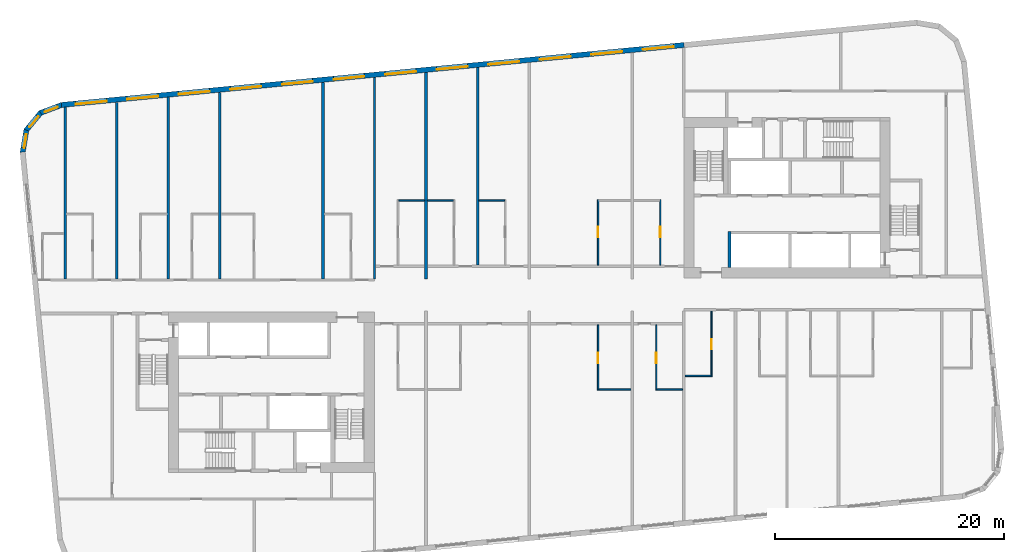
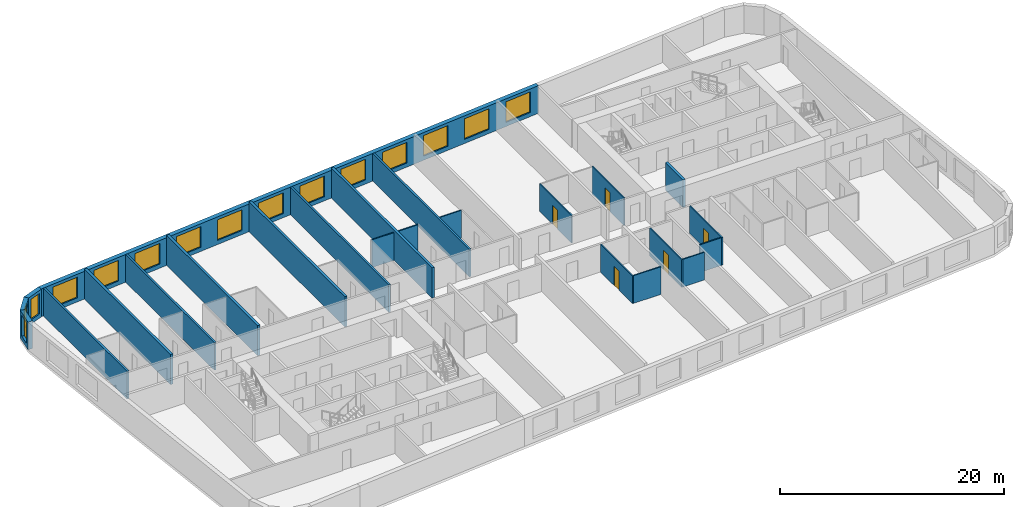
# One storey, part 5 of 12: 24 walls, 15 windows, 5 doors, 20 openings.
"""IFC4 building model written with IfcOpenShell, lengths in metres."""

from ifc_helpers import new_model, si_unit, direction, frame, frame_2d, origin, place, context, subcontext, project, spatial, polyline, rectangle, outline, extrude, material, layer, layer_set, type_object, element, fill, save


model = new_model("IFC4")

# Units and contexts
model_context = context("Model", 3, precision=1e-05, world=origin(), true_north=direction((0.0, 1.0)))
body_context = subcontext(model_context, "Body", "Model", "MODEL_VIEW")
ifc_project = project(units=[si_unit("LENGTHUNIT", "METRE"), si_unit("AREAUNIT", "SQUARE_METRE"), si_unit("VOLUMEUNIT", "CUBIC_METRE"), si_unit("PLANEANGLEUNIT", "RADIAN"), si_unit("MASSUNIT", "GRAM", prefix="KILO")], contexts=[model_context])

# Site, building, storey
site_placement = place(None, origin())
site = spatial("IfcSite", under=ifc_project, at=site_placement, CompositionType="ELEMENT")
building_placement = place(site_placement, origin())
building = spatial("IfcBuilding", under=site, at=building_placement, Name="Kajstack Hotel Tower", CompositionType="ELEMENT")
storey_placement = place(building_placement, frame((0.0, 0.0, 173.5)))
storey = spatial("IfcBuildingStorey", under=building, at=storey_placement, Name="L40", CompositionType="ELEMENT", Elevation=173.5)

# Walls
ifc_material_1 = material(Name="Twin-frame gypsum board on steel studs, mineral wool", Category="steel")
ifc_layer_1 = layer(ifc_material_1, 0.199951171875)
ifc_layer_set_1 = layer_set([ifc_layer_1], Name="Demising wall 200")
wall_type_1 = type_object("IfcWallType", Name="Demising wall 200", PredefinedType="PARTITIONING", material=ifc_layer_set_1)
wall_1_placement = place(storey_placement, frame((-40.5, 1.39990234375, 0.0), z_axis=(0.0, 0.0, 1.0), x_axis=(0.0, 1.0, 0.0)))
element("IfcWall", 1, at=wall_1_placement, inside=storey, type_object=wall_type_1, Name="G-wall-L40-005", PredefinedType="PARTITIONING", context=body_context, shape_type="SweptSolid", body=[
    extrude(rectangle(XDim=14.989990234375, YDim=0.199951171875, at=frame_2d((7.4951171875, 0.0))), origin(), (0.0, 0.0, 1.0), 3.02001953125),
])
wall_2_placement = place(storey_placement, frame((-31.5, 1.39990234375, 0.0), z_axis=(0.0, 0.0, 1.0), x_axis=(0.0, 1.0, 0.0)))
element("IfcWall", 2, at=wall_2_placement, inside=storey, type_object=wall_type_1, Name="G-wall-L40-010", PredefinedType="PARTITIONING", context=body_context, shape_type="SweptSolid", body=[
    extrude(rectangle(XDim=15.856201171875, YDim=0.199951171875, at=frame_2d((7.92822265625, 0.0))), origin(), (0.0, 0.0, 1.0), 3.02001953125),
])
wall_3_placement = place(storey_placement, frame((-13.5, 1.39990234375, 0.0), z_axis=(0.0, 0.0, 1.0), x_axis=(0.0, 1.0, 0.0)))
element("IfcWall", 3, at=wall_3_placement, inside=storey, type_object=wall_type_1, Name="G-wall-L40-017", PredefinedType="PARTITIONING", context=body_context, shape_type="SweptSolid", body=[
    extrude(rectangle(XDim=17.590087890625, YDim=0.199951171875, at=frame_2d((8.794921875, 0.0))), origin(), (0.0, 0.0, 1.0), 3.02001953125),
])
wall_4_placement = place(storey_placement, frame((-4.5, 2.60009765625, 0.0), z_axis=(0.0, 0.0, 1.0), x_axis=(0.0, 1.0, 0.0)))
element("IfcWall", 4, at=wall_4_placement, inside=storey, type_object=wall_type_1, Name="G-wall-L40-022", PredefinedType="PARTITIONING", context=body_context, shape_type="SweptSolid", body=[
    extrude(rectangle(XDim=17.255859375, YDim=0.199951171875, at=frame_2d((8.6279296875, 0.0))), origin(), (0.0, 0.0, 1.0), 3.02001953125),
])

# Wall, openings, windows
ifc_material_2 = material(Name="Terracotta-faced brick masonry", Category="masonry")
ifc_layer_2 = layer(ifc_material_2, 0.449951171875)
ifc_layer_set_2 = layer_set([ifc_layer_2], Name="EW-TERRA")
wall_type_2 = type_object("IfcWallType", Name="EW-TERRA", PredefinedType="SOLIDWALL", material=ifc_layer_set_2)
wall_5_placement = place(storey_placement, frame((13.521484375, 21.8173828125, 0.0), z_axis=(0.0, 0.0, 1.0), x_axis=(-0.995396508751, -0.095842529008, 0.0)))
wall_5 = element("IfcWall", 5, at=wall_5_placement, inside=storey, type_object=wall_type_2, Name="E-wall-L40-12-02", PredefinedType="SOLIDWALL", context=body_context, shape_type="SweptSolid", body=[
    extrude(rectangle(XDim=54.59130859375, YDim=0.449951171875, at=frame_2d((27.295654296875, 0.0))), origin(), (0.0, 0.0, 1.0), 3.02001953125),
])
opening_1_placement = place(wall_5_placement, frame((0.910400390625, 0.0, 0.449951171875)))
opening_1 = element("IfcOpeningElement", 6, at=opening_1_placement, cuts=wall_5, Name="Opening W1", PredefinedType="OPENING", context=body_context, shape_type="SweptSolid", body=[
    extrude(rectangle(XDim=2.699951171875, YDim=2.25, at=frame_2d((1.35009765625, 1.125))), frame((0.0, 0.23486328125, 0.0), z_axis=(0.0, -1.0, 0.0), x_axis=(1.0, 0.0, 0.0)), (0.0, 0.0, 1.0), 0.469970703125),
])
opening_2_placement = place(wall_5_placement, frame((5.43115234375, 0.0, 0.449951171875)))
opening_2 = element("IfcOpeningElement", 7, at=opening_2_placement, cuts=wall_5, Name="Opening W1", PredefinedType="OPENING", context=body_context, shape_type="SweptSolid", body=[
    extrude(rectangle(XDim=2.699951171875, YDim=2.25, at=frame_2d((1.35009765625, 1.125))), frame((0.0, 0.23486328125, 0.0), z_axis=(0.0, -1.0, 0.0), x_axis=(1.0, 0.0, 0.0)), (0.0, 0.0, 1.0), 0.469970703125),
])
opening_3_placement = place(wall_5_placement, frame((9.951904296875, 0.0, 0.449951171875)))
opening_3 = element("IfcOpeningElement", 8, at=opening_3_placement, cuts=wall_5, Name="Opening W1", PredefinedType="OPENING", context=body_context, shape_type="SweptSolid", body=[
    extrude(rectangle(XDim=2.699951171875, YDim=2.25, at=frame_2d((1.35009765625, 1.125))), frame((0.0, 0.23486328125, 0.0), z_axis=(0.0, -1.0, 0.0), x_axis=(1.0, 0.0, 0.0)), (0.0, 0.0, 1.0), 0.469970703125),
])
opening_4_placement = place(wall_5_placement, frame((14.472900390625, 0.0, 0.449951171875)))
opening_4 = element("IfcOpeningElement", 9, at=opening_4_placement, cuts=wall_5, Name="Opening W1", PredefinedType="OPENING", context=body_context, shape_type="SweptSolid", body=[
    extrude(rectangle(XDim=2.699951171875, YDim=2.25, at=frame_2d((1.35009765625, 1.125))), frame((0.0, 0.23486328125, 0.0), z_axis=(0.0, -1.0, 0.0), x_axis=(1.0, 0.0, 0.0)), (0.0, 0.0, 1.0), 0.469970703125),
])
opening_5_placement = place(wall_5_placement, frame((18.99365234375, 0.0, 0.449951171875)))
opening_5 = element("IfcOpeningElement", 10, at=opening_5_placement, cuts=wall_5, Name="Opening W1", PredefinedType="OPENING", context=body_context, shape_type="SweptSolid", body=[
    extrude(rectangle(XDim=2.699951171875, YDim=2.25, at=frame_2d((1.35009765625, 1.125))), frame((0.0, 0.23486328125, 0.0), z_axis=(0.0, -1.0, 0.0), x_axis=(1.0, 0.0, 0.0)), (0.0, 0.0, 1.0), 0.469970703125),
])
opening_6_placement = place(wall_5_placement, frame((23.514404296875, 0.0, 0.449951171875)))
opening_6 = element("IfcOpeningElement", 11, at=opening_6_placement, cuts=wall_5, Name="Opening W1", PredefinedType="OPENING", context=body_context, shape_type="SweptSolid", body=[
    extrude(rectangle(XDim=2.699951171875, YDim=2.25, at=frame_2d((1.35009765625, 1.125))), frame((0.0, 0.23486328125, 0.0), z_axis=(0.0, -1.0, 0.0), x_axis=(1.0, 0.0, 0.0)), (0.0, 0.0, 1.0), 0.469970703125),
])
opening_7_placement = place(wall_5_placement, frame((28.03515625, 0.0, 0.449951171875)))
opening_7 = element("IfcOpeningElement", 12, at=opening_7_placement, cuts=wall_5, Name="Opening W1", PredefinedType="OPENING", context=body_context, shape_type="SweptSolid", body=[
    extrude(rectangle(XDim=2.699951171875, YDim=2.25, at=frame_2d((1.35009765625, 1.125))), frame((0.0, 0.23486328125, 0.0), z_axis=(0.0, -1.0, 0.0), x_axis=(1.0, 0.0, 0.0)), (0.0, 0.0, 1.0), 0.469970703125),
])
opening_8_placement = place(wall_5_placement, frame((32.555908203125, 0.0, 0.449951171875)))
opening_8 = element("IfcOpeningElement", 13, at=opening_8_placement, cuts=wall_5, Name="Opening W1", PredefinedType="OPENING", context=body_context, shape_type="SweptSolid", body=[
    extrude(rectangle(XDim=2.699951171875, YDim=2.25, at=frame_2d((1.35009765625, 1.125))), frame((0.0, 0.23486328125, 0.0), z_axis=(0.0, -1.0, 0.0), x_axis=(1.0, 0.0, 0.0)), (0.0, 0.0, 1.0), 0.469970703125),
])
opening_9_placement = place(wall_5_placement, frame((37.076904296875, 0.0, 0.449951171875)))
opening_9 = element("IfcOpeningElement", 14, at=opening_9_placement, cuts=wall_5, Name="Opening W1", PredefinedType="OPENING", context=body_context, shape_type="SweptSolid", body=[
    extrude(rectangle(XDim=2.699951171875, YDim=2.25, at=frame_2d((1.35009765625, 1.125))), frame((0.0, 0.23486328125, 0.0), z_axis=(0.0, -1.0, 0.0), x_axis=(1.0, 0.0, 0.0)), (0.0, 0.0, 1.0), 0.469970703125),
])
opening_10_placement = place(wall_5_placement, frame((41.59765625, 0.0, 0.449951171875)))
opening_10 = element("IfcOpeningElement", 15, at=opening_10_placement, cuts=wall_5, Name="Opening W1", PredefinedType="OPENING", context=body_context, shape_type="SweptSolid", body=[
    extrude(rectangle(XDim=2.699951171875, YDim=2.25, at=frame_2d((1.35009765625, 1.125))), frame((0.0, 0.23486328125, 0.0), z_axis=(0.0, -1.0, 0.0), x_axis=(1.0, 0.0, 0.0)), (0.0, 0.0, 1.0), 0.469970703125),
])
opening_11_placement = place(wall_5_placement, frame((46.118408203125, 0.0, 0.449951171875)))
opening_11 = element("IfcOpeningElement", 16, at=opening_11_placement, cuts=wall_5, Name="Opening W1", PredefinedType="OPENING", context=body_context, shape_type="SweptSolid", body=[
    extrude(rectangle(XDim=2.699951171875, YDim=2.25, at=frame_2d((1.35009765625, 1.125))), frame((0.0, 0.23486328125, 0.0), z_axis=(0.0, -1.0, 0.0), x_axis=(1.0, 0.0, 0.0)), (0.0, 0.0, 1.0), 0.469970703125),
])
opening_12_placement = place(wall_5_placement, frame((50.62890625, 0.0, 0.449951171875)))
opening_12 = element("IfcOpeningElement", 17, at=opening_12_placement, cuts=wall_5, Name="Opening W1", PredefinedType="OPENING", context=body_context, shape_type="SweptSolid", body=[
    extrude(rectangle(XDim=2.699951171875, YDim=2.25, at=frame_2d((1.35009765625, 1.125))), frame((0.0, 0.23486328125, 0.0), z_axis=(0.0, -1.0, 0.0), x_axis=(1.0, 0.0, 0.0)), (0.0, 0.0, 1.0), 0.469970703125),
])
ifc_material_3 = material(Name="Timber-aluminium window, triple glazed", Category="wood")
window_type_1 = type_object("IfcWindowType", Name="WG1", PartitioningType="SINGLE_PANEL", PredefinedType="WINDOW", material=ifc_material_3)
window_1_placement = place(opening_1_placement, origin())
window_1 = element("IfcWindow", 18, at=window_1_placement, inside=storey, type_object=window_type_1, Name="Window W1 L40-12", OverallHeight=2.25, OverallWidth=2.699951171875, PartitioningType="SINGLE_PANEL", PredefinedType="WINDOW", context=body_context, shape_type="SweptSolid", body=[
    extrude(rectangle(XDim=2.699951171875, YDim=2.25, at=frame_2d((1.35009765625, 1.125))), frame((0.0, 0.090087890625, 0.0), z_axis=(0.0, -1.0, 0.0), x_axis=(1.0, 0.0, 0.0)), (0.0, 0.0, 1.0), 0.06005859375),
])
fill(opening_1, window_1)
window_2_placement = place(opening_2_placement, origin())
window_2 = element("IfcWindow", 19, at=window_2_placement, inside=storey, type_object=window_type_1, Name="Window W1 L40-12", OverallHeight=2.25, OverallWidth=2.699951171875, PartitioningType="SINGLE_PANEL", PredefinedType="WINDOW", context=body_context, shape_type="SweptSolid", body=[
    extrude(rectangle(XDim=2.699951171875, YDim=2.25, at=frame_2d((1.35009765625, 1.125))), frame((0.0, 0.090087890625, 0.0), z_axis=(0.0, -1.0, 0.0), x_axis=(1.0, 0.0, 0.0)), (0.0, 0.0, 1.0), 0.06005859375),
])
fill(opening_2, window_2)
window_3_placement = place(opening_3_placement, origin())
window_3 = element("IfcWindow", 20, at=window_3_placement, inside=storey, type_object=window_type_1, Name="Window W1 L40-12", OverallHeight=2.25, OverallWidth=2.699951171875, PartitioningType="SINGLE_PANEL", PredefinedType="WINDOW", context=body_context, shape_type="SweptSolid", body=[
    extrude(rectangle(XDim=2.699951171875, YDim=2.25, at=frame_2d((1.35009765625, 1.125))), frame((0.0, 0.090087890625, 0.0), z_axis=(0.0, -1.0, 0.0), x_axis=(1.0, 0.0, 0.0)), (0.0, 0.0, 1.0), 0.06005859375),
])
fill(opening_3, window_3)
window_4_placement = place(opening_4_placement, origin())
window_4 = element("IfcWindow", 21, at=window_4_placement, inside=storey, type_object=window_type_1, Name="Window W1 L40-12", OverallHeight=2.25, OverallWidth=2.699951171875, PartitioningType="SINGLE_PANEL", PredefinedType="WINDOW", context=body_context, shape_type="SweptSolid", body=[
    extrude(rectangle(XDim=2.699951171875, YDim=2.25, at=frame_2d((1.35009765625, 1.125))), frame((0.0, 0.090087890625, 0.0), z_axis=(0.0, -1.0, 0.0), x_axis=(1.0, 0.0, 0.0)), (0.0, 0.0, 1.0), 0.06005859375),
])
fill(opening_4, window_4)
window_5_placement = place(opening_5_placement, origin())
window_5 = element("IfcWindow", 22, at=window_5_placement, inside=storey, type_object=window_type_1, Name="Window W1 L40-12", OverallHeight=2.25, OverallWidth=2.699951171875, PartitioningType="SINGLE_PANEL", PredefinedType="WINDOW", context=body_context, shape_type="SweptSolid", body=[
    extrude(rectangle(XDim=2.699951171875, YDim=2.25, at=frame_2d((1.35009765625, 1.125))), frame((0.0, 0.090087890625, 0.0), z_axis=(0.0, -1.0, 0.0), x_axis=(1.0, 0.0, 0.0)), (0.0, 0.0, 1.0), 0.06005859375),
])
fill(opening_5, window_5)
window_6_placement = place(opening_6_placement, origin())
window_6 = element("IfcWindow", 23, at=window_6_placement, inside=storey, type_object=window_type_1, Name="Window W1 L40-12", OverallHeight=2.25, OverallWidth=2.699951171875, PartitioningType="SINGLE_PANEL", PredefinedType="WINDOW", context=body_context, shape_type="SweptSolid", body=[
    extrude(rectangle(XDim=2.699951171875, YDim=2.25, at=frame_2d((1.35009765625, 1.125))), frame((0.0, 0.090087890625, 0.0), z_axis=(0.0, -1.0, 0.0), x_axis=(1.0, 0.0, 0.0)), (0.0, 0.0, 1.0), 0.06005859375),
])
fill(opening_6, window_6)
window_7_placement = place(opening_7_placement, origin())
window_7 = element("IfcWindow", 24, at=window_7_placement, inside=storey, type_object=window_type_1, Name="Window W1 L40-12", OverallHeight=2.25, OverallWidth=2.699951171875, PartitioningType="SINGLE_PANEL", PredefinedType="WINDOW", context=body_context, shape_type="SweptSolid", body=[
    extrude(rectangle(XDim=2.699951171875, YDim=2.25, at=frame_2d((1.35009765625, 1.125))), frame((0.0, 0.090087890625, 0.0), z_axis=(0.0, -1.0, 0.0), x_axis=(1.0, 0.0, 0.0)), (0.0, 0.0, 1.0), 0.06005859375),
])
fill(opening_7, window_7)
window_8_placement = place(opening_8_placement, origin())
window_8 = element("IfcWindow", 25, at=window_8_placement, inside=storey, type_object=window_type_1, Name="Window W1 L40-12", OverallHeight=2.25, OverallWidth=2.699951171875, PartitioningType="SINGLE_PANEL", PredefinedType="WINDOW", context=body_context, shape_type="SweptSolid", body=[
    extrude(rectangle(XDim=2.699951171875, YDim=2.25, at=frame_2d((1.35009765625, 1.125))), frame((0.0, 0.090087890625, 0.0), z_axis=(0.0, -1.0, 0.0), x_axis=(1.0, 0.0, 0.0)), (0.0, 0.0, 1.0), 0.06005859375),
])
fill(opening_8, window_8)
window_9_placement = place(opening_9_placement, origin())
window_9 = element("IfcWindow", 26, at=window_9_placement, inside=storey, type_object=window_type_1, Name="Window W1 L40-12", OverallHeight=2.25, OverallWidth=2.699951171875, PartitioningType="SINGLE_PANEL", PredefinedType="WINDOW", context=body_context, shape_type="SweptSolid", body=[
    extrude(rectangle(XDim=2.699951171875, YDim=2.25, at=frame_2d((1.35009765625, 1.125))), frame((0.0, 0.090087890625, 0.0), z_axis=(0.0, -1.0, 0.0), x_axis=(1.0, 0.0, 0.0)), (0.0, 0.0, 1.0), 0.06005859375),
])
fill(opening_9, window_9)
window_10_placement = place(opening_10_placement, origin())
window_10 = element("IfcWindow", 27, at=window_10_placement, inside=storey, type_object=window_type_1, Name="Window W1 L40-12", OverallHeight=2.25, OverallWidth=2.699951171875, PartitioningType="SINGLE_PANEL", PredefinedType="WINDOW", context=body_context, shape_type="SweptSolid", body=[
    extrude(rectangle(XDim=2.699951171875, YDim=2.25, at=frame_2d((1.35009765625, 1.125))), frame((0.0, 0.090087890625, 0.0), z_axis=(0.0, -1.0, 0.0), x_axis=(1.0, 0.0, 0.0)), (0.0, 0.0, 1.0), 0.06005859375),
])
fill(opening_10, window_10)
window_11_placement = place(opening_11_placement, origin())
window_11 = element("IfcWindow", 28, at=window_11_placement, inside=storey, type_object=window_type_1, Name="Window W1 L40-12", OverallHeight=2.25, OverallWidth=2.699951171875, PartitioningType="SINGLE_PANEL", PredefinedType="WINDOW", context=body_context, shape_type="SweptSolid", body=[
    extrude(rectangle(XDim=2.699951171875, YDim=2.25, at=frame_2d((1.35009765625, 1.125))), frame((0.0, 0.090087890625, 0.0), z_axis=(0.0, -1.0, 0.0), x_axis=(1.0, 0.0, 0.0)), (0.0, 0.0, 1.0), 0.06005859375),
])
fill(opening_11, window_11)
window_12_placement = place(opening_12_placement, origin())
window_12 = element("IfcWindow", 29, at=window_12_placement, inside=storey, type_object=window_type_1, Name="Window W1 L40-12", OverallHeight=2.25, OverallWidth=2.699951171875, PartitioningType="SINGLE_PANEL", PredefinedType="WINDOW", context=body_context, shape_type="SweptSolid", body=[
    extrude(rectangle(XDim=2.699951171875, YDim=2.25, at=frame_2d((1.35009765625, 1.125))), frame((0.0, 0.090087890625, 0.0), z_axis=(0.0, -1.0, 0.0), x_axis=(1.0, 0.0, 0.0)), (0.0, 0.0, 1.0), 0.06005859375),
])
fill(opening_12, window_12)

# Wall, opening, window
wall_6_placement = place(storey_placement, frame((-40.76123046875, 16.598388671875, 0.0), z_axis=(0.0, 0.0, 1.0), x_axis=(-0.936677599948, -0.350192909346, 0.0)))
wall_6 = element("IfcWall", 30, at=wall_6_placement, inside=storey, type_object=wall_type_2, Name="E-wall-L40-13-00", PredefinedType="SOLIDWALL", context=body_context, shape_type="SweptSolid", body=[
    extrude(outline(polyline([(0.0, -0.22509765625), (2.070556640625, -0.224853515625), (1.949951171875, 0.22509765625), (0.12060546875, 0.22509765625), (0.0, -0.22509765625)])), origin(), (0.0, 0.0, 1.0), 3.02001953125),
])
opening_13_placement = place(wall_6_placement, frame((0.435302734375, 0.0, 0.449951171875)))
opening_13 = element("IfcOpeningElement", 31, at=opening_13_placement, cuts=wall_6, Name="Opening W3", PredefinedType="OPENING", context=body_context, shape_type="SweptSolid", body=[
    extrude(rectangle(XDim=1.199951171875, YDim=2.25, at=frame_2d((0.60009765625, 1.125))), frame((0.0, 0.23486328125, 0.0), z_axis=(0.0, -1.0, 0.0), x_axis=(1.0, 0.0, 0.0)), (0.0, 0.0, 1.0), 0.469970703125),
])
window_type_2 = type_object("IfcWindowType", Name="WG3", PartitioningType="SINGLE_PANEL", PredefinedType="WINDOW", material=ifc_material_3)
window_13_placement = place(opening_13_placement, origin())
window_13 = element("IfcWindow", 32, at=window_13_placement, inside=storey, type_object=window_type_2, Name="Window W3 L40-13", OverallHeight=2.25, OverallWidth=1.199951171875, PartitioningType="SINGLE_PANEL", PredefinedType="WINDOW", context=body_context, shape_type="SweptSolid", body=[
    extrude(rectangle(XDim=1.199951171875, YDim=2.25, at=frame_2d((0.60009765625, 1.125))), frame((0.0, 0.090087890625, 0.0), z_axis=(0.0, -1.0, 0.0), x_axis=(1.0, 0.0, 0.0)), (0.0, 0.0, 1.0), 0.06005859375),
])
fill(opening_13, window_13)

wall_7_placement = place(storey_placement, frame((-42.60595703125, 15.94091796875, 0.0), z_axis=(0.0, 0.0, 1.0), x_axis=(-0.636116318187, -0.771593176315, 0.0)))
wall_7 = element("IfcWall", 33, at=wall_7_placement, inside=storey, type_object=wall_type_2, Name="E-wall-L40-14-00", PredefinedType="SOLIDWALL", context=body_context, shape_type="SweptSolid", body=[
    extrude(outline(polyline([(0.0, -0.224853515625), (2.070556640625, -0.224853515625), (1.949951171875, 0.22509765625), (0.12060546875, 0.22509765625), (0.0, -0.224853515625)])), origin(), (0.0, 0.0, 1.0), 3.02001953125),
])
opening_14_placement = place(wall_7_placement, frame((0.435302734375, 0.0, 0.449951171875)))
opening_14 = element("IfcOpeningElement", 34, at=opening_14_placement, cuts=wall_7, Name="Opening W3", PredefinedType="OPENING", context=body_context, shape_type="SweptSolid", body=[
    extrude(rectangle(XDim=1.199951171875, YDim=2.25, at=frame_2d((0.60009765625, 1.125))), frame((0.0, 0.23486328125, 0.0), z_axis=(0.0, -1.0, 0.0), x_axis=(1.0, 0.0, 0.0)), (0.0, 0.0, 1.0), 0.469970703125),
])
window_14_placement = place(opening_14_placement, origin())
window_14 = element("IfcWindow", 35, at=window_14_placement, inside=storey, type_object=window_type_2, Name="Window W3 L40-14", OverallHeight=2.25, OverallWidth=1.199951171875, PartitioningType="SINGLE_PANEL", PredefinedType="WINDOW", context=body_context, shape_type="SweptSolid", body=[
    extrude(rectangle(XDim=1.199951171875, YDim=2.25, at=frame_2d((0.60009765625, 1.125))), frame((0.0, 0.090087890625, 0.0), z_axis=(0.0, -1.0, 0.0), x_axis=(1.0, 0.0, 0.0)), (0.0, 0.0, 1.0), 0.06005859375),
])
fill(opening_14, window_14)

wall_8_placement = place(storey_placement, frame((-43.874755859375, 14.44921875, 0.0), z_axis=(0.0, 0.0, 1.0), x_axis=(-0.164953448126, -0.986301353518, 0.0)))
wall_8 = element("IfcWall", 36, at=wall_8_placement, inside=storey, type_object=wall_type_2, Name="E-wall-L40-15-00", PredefinedType="SOLIDWALL", context=body_context, shape_type="SweptSolid", body=[
    extrude(outline(polyline([(0.0, -0.224853515625), (2.070556640625, -0.22509765625), (1.9501953125, 0.224853515625), (0.12060546875, 0.22509765625), (0.0, -0.224853515625)])), origin(), (0.0, 0.0, 1.0), 3.02001953125),
])
opening_15_placement = place(wall_8_placement, frame((0.435302734375, 0.0, 0.449951171875)))
opening_15 = element("IfcOpeningElement", 37, at=opening_15_placement, cuts=wall_8, Name="Opening W3", PredefinedType="OPENING", context=body_context, shape_type="SweptSolid", body=[
    extrude(rectangle(XDim=1.199951171875, YDim=2.25, at=frame_2d((0.60009765625, 1.125))), frame((0.0, 0.23486328125, 0.0), z_axis=(0.0, -1.0, 0.0), x_axis=(1.0, 0.0, 0.0)), (0.0, 0.0, 1.0), 0.469970703125),
])
window_15_placement = place(opening_15_placement, origin())
window_15 = element("IfcWindow", 38, at=window_15_placement, inside=storey, type_object=window_type_2, Name="Window W3 L40-15", OverallHeight=2.25, OverallWidth=1.199951171875, PartitioningType="SINGLE_PANEL", PredefinedType="WINDOW", context=body_context, shape_type="SweptSolid", body=[
    extrude(rectangle(XDim=1.199951171875, YDim=2.25, at=frame_2d((0.60009765625, 1.125))), frame((0.0, 0.090087890625, 0.0), z_axis=(0.0, -1.0, 0.0), x_axis=(1.0, 0.0, 0.0)), (0.0, 0.0, 1.0), 0.06005859375),
])
fill(opening_15, window_15)

# Walls
ifc_material_4 = material(Name="Gypsum board and tiled backer on steel studs", Category="steel")
ifc_layer_3 = layer(ifc_material_4, 0.125)
ifc_layer_set_3 = layer_set([ifc_layer_3], Name="En-suite wall 125")
wall_type_3 = type_object("IfcWallType", Name="En-suite wall 125", PredefinedType="PARTITIONING", material=ifc_layer_set_3)
for number, where, z_axis, x_axis, name in (
    (39, (-11.375, 8.261962890625, 0.0), (0.0, 0.0, 1.0), (1.0, 0.0, 0.0), "G-wall-L40-021"),
    (40, (-8.875, 8.261962890625, 0.0), (0.0, 0.0, 1.0), (1.0, 0.0, 0.0), "G-wall-L40-024"),
    (41, (-4.39990234375, 8.261962890625, 0.0), (0.0, 0.0, 1.0), (1.0, 0.0, 0.0), "G-wall-L40-026"),
):
    element("IfcWall", number, at=place(storey_placement, frame(where, z_axis=z_axis, x_axis=x_axis)), inside=storey, type_object=wall_type_3, Name=name, PredefinedType="PARTITIONING", context=body_context, shape_type="SweptSolid", body=[
        extrude(rectangle(XDim=2.25, YDim=0.125, at=frame_2d((1.125, 0.0))), origin(), (0.0, 0.0, 1.0), 3.02001953125),
    ])

# Wall, opening, door
wall_9_placement = place(storey_placement, frame((6.012939453125, 2.60009765625, 0.0), z_axis=(0.0, 0.0, 1.0), x_axis=(0.0, 1.0, 0.0)))
wall_9 = element("IfcWall", 42, at=wall_9_placement, inside=storey, type_object=wall_type_3, Name="G-wall-L40-027", PredefinedType="PARTITIONING", context=body_context, shape_type="SweptSolid", body=[
    extrude(rectangle(XDim=5.724853515625, YDim=0.125, at=frame_2d((2.8623046875, 0.0))), origin(), (0.0, 0.0, 1.0), 3.02001953125),
])
opening_16_placement = place(wall_9_placement, frame((2.449951171875, 0.0, 0.0)))
opening_16 = element("IfcOpeningElement", 43, at=opening_16_placement, cuts=wall_9, Name="Opening 40020", PredefinedType="OPENING", context=body_context, shape_type="SweptSolid", body=[
    extrude(rectangle(XDim=0.89990234375, YDim=2.10009765625, at=frame_2d((0.449951171875, 1.050048828125))), frame((0.0, 0.072509765625, 0.0), z_axis=(0.0, -1.0, 0.0), x_axis=(1.0, 0.0, 0.0)), (0.0, 0.0, 1.0), 0.14501953125),
])
ifc_material_5 = material(Name="Painted timber door leaf", Category="wood")
door_type = type_object("IfcDoorType", Name="Room door 900", OperationType="SINGLE_SWING_LEFT", PredefinedType="DOOR", material=ifc_material_5)
door_1_placement = place(opening_16_placement, origin())
door_1 = element("IfcDoor", 44, at=door_1_placement, inside=storey, type_object=door_type, Name="G-door-L40-20", OperationType="SINGLE_SWING_LEFT", OverallHeight=2.10009765625, OverallWidth=0.89990234375, PredefinedType="DOOR", context=body_context, shape_type="SweptSolid", body=[
    extrude(rectangle(XDim=0.89990234375, YDim=2.10009765625, at=frame_2d((0.449951171875, 1.050048828125))), frame((0.0, 0.02490234375, 0.0), z_axis=(0.0, -1.0, 0.0), x_axis=(1.0, 0.0, 0.0)), (0.0, 0.0, 1.0), 0.050048828125),
])
fill(opening_16, door_1)

wall_10_placement = place(storey_placement, frame((11.43798828125, 2.60009765625, 0.0), z_axis=(0.0, 0.0, 1.0), x_axis=(0.0, 1.0, 0.0)))
wall_10 = element("IfcWall", 45, at=wall_10_placement, inside=storey, type_object=wall_type_3, Name="G-wall-L40-029", PredefinedType="PARTITIONING", context=body_context, shape_type="SweptSolid", body=[
    extrude(rectangle(XDim=5.724853515625, YDim=0.125, at=frame_2d((2.8623046875, 0.0))), origin(), (0.0, 0.0, 1.0), 3.02001953125),
])
opening_17_placement = place(wall_10_placement, frame((2.449951171875, 0.0, 0.0)))
opening_17 = element("IfcOpeningElement", 46, at=opening_17_placement, cuts=wall_10, Name="Opening 40022", PredefinedType="OPENING", context=body_context, shape_type="SweptSolid", body=[
    extrude(rectangle(XDim=0.89990234375, YDim=2.10009765625, at=frame_2d((0.449951171875, 1.050048828125))), frame((0.0, 0.072509765625, 0.0), z_axis=(0.0, -1.0, 0.0), x_axis=(1.0, 0.0, 0.0)), (0.0, 0.0, 1.0), 0.14501953125),
])
door_2_placement = place(opening_17_placement, origin())
door_2 = element("IfcDoor", 47, at=door_2_placement, inside=storey, type_object=door_type, Name="G-door-L40-22", OperationType="SINGLE_SWING_LEFT", OverallHeight=2.10009765625, OverallWidth=0.89990234375, PredefinedType="DOOR", context=body_context, shape_type="SweptSolid", body=[
    extrude(rectangle(XDim=0.89990234375, YDim=2.10009765625, at=frame_2d((0.449951171875, 1.050048828125))), frame((0.0, 0.02490234375, 0.0), z_axis=(0.0, -1.0, 0.0), x_axis=(1.0, 0.0, 0.0)), (0.0, 0.0, 1.0), 0.050048828125),
])
fill(opening_17, door_2)

wall_11_placement = place(storey_placement, frame((6.012939453125, -8.324951171875, 0.0), z_axis=(0.0, 0.0, 1.0), x_axis=(0.0, 1.0, 0.0)))
wall_11 = element("IfcWall", 48, at=wall_11_placement, inside=storey, type_object=wall_type_3, Name="G-wall-L40-037", PredefinedType="PARTITIONING", context=body_context, shape_type="SweptSolid", body=[
    extrude(rectangle(XDim=5.724853515625, YDim=0.125, at=frame_2d((2.8623046875, 0.0))), origin(), (0.0, 0.0, 1.0), 3.02001953125),
])
opening_18_placement = place(wall_11_placement, frame((2.375, 0.0, 0.0)))
opening_18 = element("IfcOpeningElement", 49, at=opening_18_placement, cuts=wall_11, Name="Opening 40028", PredefinedType="OPENING", context=body_context, shape_type="SweptSolid", body=[
    extrude(rectangle(XDim=0.89990234375, YDim=2.10009765625, at=frame_2d((0.449951171875, 1.050048828125))), frame((0.0, 0.072509765625, 0.0), z_axis=(0.0, -1.0, 0.0), x_axis=(1.0, 0.0, 0.0)), (0.0, 0.0, 1.0), 0.14501953125),
])
door_3_placement = place(opening_18_placement, origin())
door_3 = element("IfcDoor", 50, at=door_3_placement, inside=storey, type_object=door_type, Name="G-door-L40-28", OperationType="SINGLE_SWING_RIGHT", OverallHeight=2.10009765625, OverallWidth=0.89990234375, PredefinedType="DOOR", context=body_context, shape_type="SweptSolid", body=[
    extrude(rectangle(XDim=0.89990234375, YDim=2.10009765625, at=frame_2d((0.449951171875, 1.050048828125))), frame((0.0, 0.02490234375, 0.0), z_axis=(0.0, -1.0, 0.0), x_axis=(1.0, 0.0, 0.0)), (0.0, 0.0, 1.0), 0.050048828125),
])
fill(opening_18, door_3)

# Wall
wall_12_placement = place(storey_placement, frame((6.074951171875, -8.261962890625, 0.0), z_axis=(0.0, 0.0, 1.0), x_axis=(1.0, 0.0, 0.0)))
element("IfcWall", 51, at=wall_12_placement, inside=storey, type_object=wall_type_3, Name="G-wall-L40-038", PredefinedType="PARTITIONING", context=body_context, shape_type="SweptSolid", body=[
    extrude(rectangle(XDim=2.800048828125, YDim=0.125, at=frame_2d((1.39990234375, 0.0))), origin(), (0.0, 0.0, 1.0), 3.02001953125),
])

# Wall, opening, door
wall_13_placement = place(storey_placement, frame((11.087890625, -8.324951171875, 0.0), z_axis=(0.0, 0.0, 1.0), x_axis=(0.0, 1.0, 0.0)))
wall_13 = element("IfcWall", 52, at=wall_13_placement, inside=storey, type_object=wall_type_3, Name="G-wall-L40-040", PredefinedType="PARTITIONING", context=body_context, shape_type="SweptSolid", body=[
    extrude(rectangle(XDim=5.724853515625, YDim=0.125, at=frame_2d((2.8623046875, 0.0))), origin(), (0.0, 0.0, 1.0), 3.02001953125),
])
opening_19_placement = place(wall_13_placement, frame((2.375, 0.0, 0.0)))
opening_19 = element("IfcOpeningElement", 53, at=opening_19_placement, cuts=wall_13, Name="Opening 40030", PredefinedType="OPENING", context=body_context, shape_type="SweptSolid", body=[
    extrude(rectangle(XDim=0.89990234375, YDim=2.10009765625, at=frame_2d((0.449951171875, 1.050048828125))), frame((0.0, 0.072509765625, 0.0), z_axis=(0.0, -1.0, 0.0), x_axis=(1.0, 0.0, 0.0)), (0.0, 0.0, 1.0), 0.14501953125),
])
door_4_placement = place(opening_19_placement, origin())
door_4 = element("IfcDoor", 54, at=door_4_placement, inside=storey, type_object=door_type, Name="G-door-L40-30", OperationType="SINGLE_SWING_RIGHT", OverallHeight=2.10009765625, OverallWidth=0.89990234375, PredefinedType="DOOR", context=body_context, shape_type="SweptSolid", body=[
    extrude(rectangle(XDim=0.89990234375, YDim=2.10009765625, at=frame_2d((0.449951171875, 1.050048828125))), frame((0.0, 0.02490234375, 0.0), z_axis=(0.0, -1.0, 0.0), x_axis=(1.0, 0.0, 0.0)), (0.0, 0.0, 1.0), 0.050048828125),
])
fill(opening_19, door_4)

# Wall
wall_14_placement = place(storey_placement, frame((11.14990234375, -8.261962890625, 0.0), z_axis=(0.0, 0.0, 1.0), x_axis=(1.0, 0.0, 0.0)))
element("IfcWall", 55, at=wall_14_placement, inside=storey, type_object=wall_type_3, Name="G-wall-L40-041", PredefinedType="PARTITIONING", context=body_context, shape_type="SweptSolid", body=[
    extrude(rectangle(XDim=2.25, YDim=0.125, at=frame_2d((1.125, 0.0))), origin(), (0.0, 0.0, 1.0), 3.02001953125),
])

# Wall, opening, door
wall_15_placement = place(storey_placement, frame((15.912109375, -7.125, 0.0), z_axis=(0.0, 0.0, 1.0), x_axis=(0.0, 1.0, 0.0)))
wall_15 = element("IfcWall", 56, at=wall_15_placement, inside=storey, type_object=wall_type_3, Name="G-wall-L40-042", PredefinedType="PARTITIONING", context=body_context, shape_type="SweptSolid", body=[
    extrude(rectangle(XDim=5.72509765625, YDim=0.125, at=frame_2d((2.862548828125, 0.0))), origin(), (0.0, 0.0, 1.0), 3.02001953125),
])
opening_20_placement = place(wall_15_placement, frame((2.375, 0.0, 0.0)))
opening_20 = element("IfcOpeningElement", 57, at=opening_20_placement, cuts=wall_15, Name="Opening 40032", PredefinedType="OPENING", context=body_context, shape_type="SweptSolid", body=[
    extrude(rectangle(XDim=0.89990234375, YDim=2.10009765625, at=frame_2d((0.449951171875, 1.050048828125))), frame((0.0, 0.072509765625, 0.0), z_axis=(0.0, -1.0, 0.0), x_axis=(1.0, 0.0, 0.0)), (0.0, 0.0, 1.0), 0.14501953125),
])
door_5_placement = place(opening_20_placement, origin())
door_5 = element("IfcDoor", 58, at=door_5_placement, inside=storey, type_object=door_type, Name="G-door-L40-32", OperationType="SINGLE_SWING_LEFT", OverallHeight=2.10009765625, OverallWidth=0.89990234375, PredefinedType="DOOR", context=body_context, shape_type="SweptSolid", body=[
    extrude(rectangle(XDim=0.89990234375, YDim=2.10009765625, at=frame_2d((0.449951171875, 1.050048828125))), frame((0.0, 0.02490234375, 0.0), z_axis=(0.0, -1.0, 0.0), x_axis=(1.0, 0.0, 0.0)), (0.0, 0.0, 1.0), 0.050048828125),
])
fill(opening_20, door_5)

# Walls
wall_16_placement = place(storey_placement, frame((13.60009765625, -7.06201171875, 0.0), z_axis=(0.0, 0.0, 1.0), x_axis=(1.0, 0.0, 0.0)))
element("IfcWall", 59, at=wall_16_placement, inside=storey, type_object=wall_type_3, Name="G-wall-L40-043", PredefinedType="PARTITIONING", context=body_context, shape_type="SweptSolid", body=[
    extrude(rectangle(XDim=2.25, YDim=0.125, at=frame_2d((1.125, 0.0))), origin(), (0.0, 0.0, 1.0), 3.02001953125),
])
ifc_material_6 = material(Name="Concrete C50/60", Category="concrete")
ifc_layer_4 = layer(ifc_material_6, 0.25)
ifc_layer_set_4 = layer_set([ifc_layer_4], Name="RC cross wall 250 C50/60")
wall_type_4 = type_object("IfcWallType", Name="RC cross wall 250 C50/60", PredefinedType="SHEAR", material=ifc_layer_set_4)
wall_17_placement = place(storey_placement, frame((-36.0, 1.39990234375, 0.0), z_axis=(0.0, 0.0, 1.0), x_axis=(0.0, 1.0, 0.0)))
element("IfcWall", 60, at=wall_17_placement, inside=storey, type_object=wall_type_4, Name="S-wall-L40-01", PredefinedType="SHEAR", context=body_context, shape_type="SweptSolid", body=[
    extrude(rectangle(XDim=15.401123046875, YDim=0.25, at=frame_2d((7.70068359375, 0.0))), origin(), (0.0, 0.0, 1.0), 3.300048828125),
])
wall_18_placement = place(storey_placement, frame((-27.0, 1.39990234375, 0.0), z_axis=(0.0, 0.0, 1.0), x_axis=(0.0, 1.0, 0.0)))
element("IfcWall", 61, at=wall_18_placement, inside=storey, type_object=wall_type_4, Name="S-wall-L40-02", PredefinedType="SHEAR", context=body_context, shape_type="SweptSolid", body=[
    extrude(rectangle(XDim=16.267578125, YDim=0.25, at=frame_2d((8.1337890625, 0.0))), origin(), (0.0, 0.0, 1.0), 3.300048828125),
])
wall_19_placement = place(storey_placement, frame((-18.0, 1.39990234375, 0.0), z_axis=(0.0, 0.0, 1.0), x_axis=(0.0, 1.0, 0.0)))
element("IfcWall", 62, at=wall_19_placement, inside=storey, type_object=wall_type_4, Name="S-wall-L40-03", PredefinedType="SHEAR", context=body_context, shape_type="SweptSolid", body=[
    extrude(rectangle(XDim=17.13427734375, YDim=0.25, at=frame_2d((8.567138671875, 0.0))), origin(), (0.0, 0.0, 1.0), 3.300048828125),
])
wall_20_placement = place(storey_placement, frame((-9.0, 1.39990234375, 0.0), z_axis=(0.0, 0.0, 1.0), x_axis=(0.0, 1.0, 0.0)))
element("IfcWall", 63, at=wall_20_placement, inside=storey, type_object=wall_type_4, Name="S-wall-L40-05", PredefinedType="SHEAR", context=body_context, shape_type="SweptSolid", body=[
    extrude(rectangle(XDim=18.0009765625, YDim=0.25, at=frame_2d((9.00048828125, 0.0))), origin(), (0.0, 0.0, 1.0), 3.300048828125),
])
ifc_layer_5 = layer(ifc_material_6, 0.25)
ifc_layer_set_5 = layer_set([ifc_layer_5], Name="Shaft wall 250")
wall_type_5 = type_object("IfcWallType", Name="Shaft wall 250", PredefinedType="SHEAR", material=ifc_layer_set_5)
wall_21_placement = place(storey_placement, frame((17.47509765625, 2.39990234375, 0.0), z_axis=(0.0, 0.0, 1.0), x_axis=(0.0, 1.0, 0.0)))
element("IfcWall", 64, at=wall_21_placement, inside=storey, type_object=wall_type_5, Name="Core wall E AE", PredefinedType="SHEAR", context=body_context, shape_type="SweptSolid", body=[
    extrude(rectangle(XDim=3.150146484375, YDim=0.25, at=frame_2d((1.5751953125, 0.0))), origin(), (0.0, 0.0, 1.0), 3.02001953125),
])

save(model, "model.ifc")
